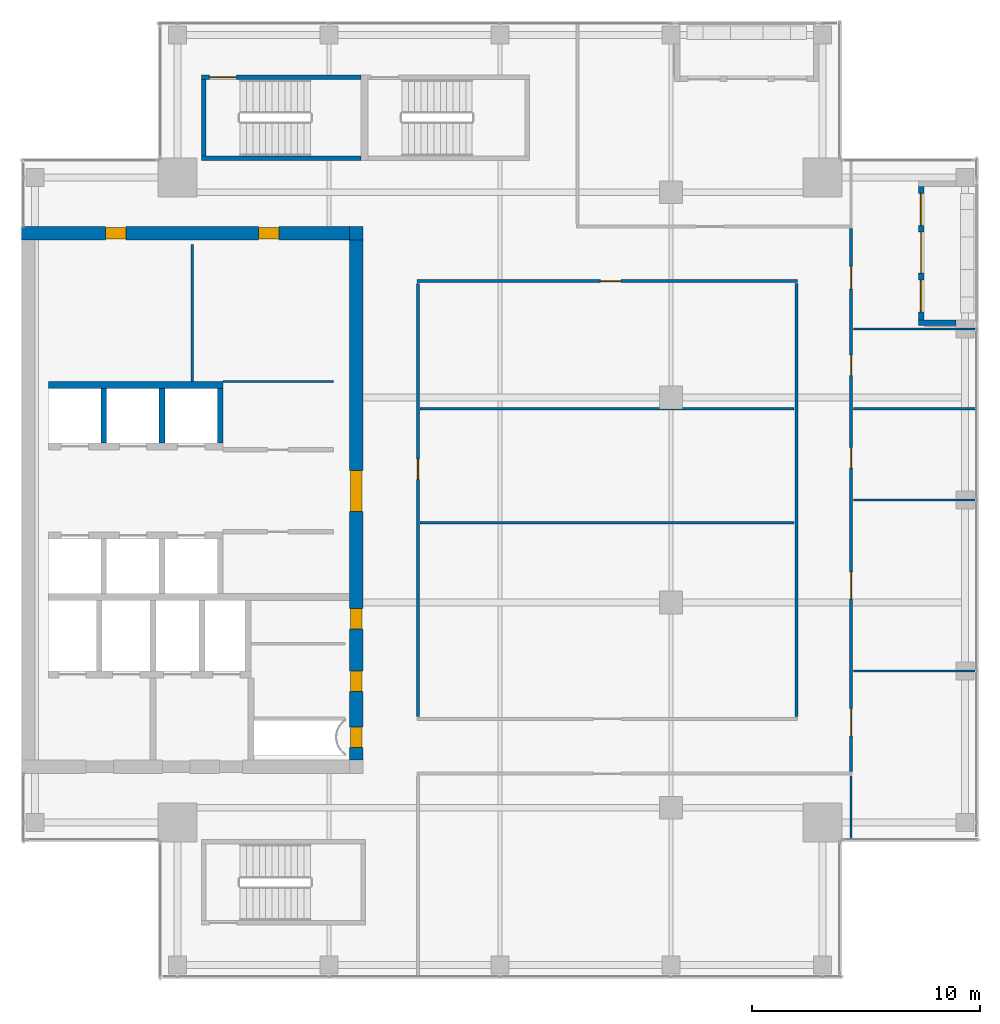
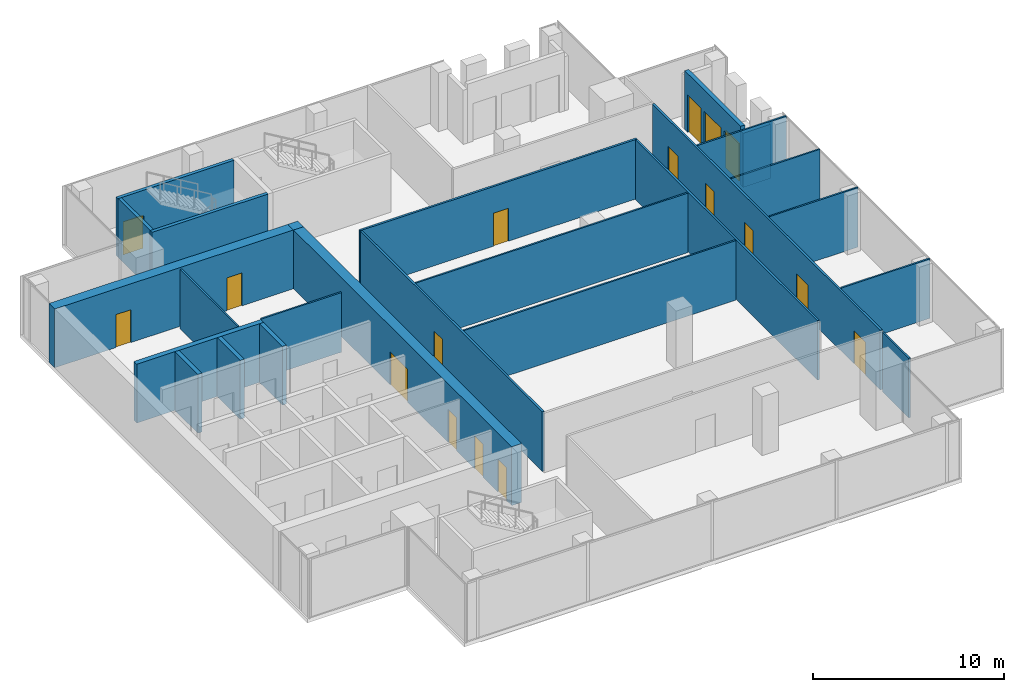
# One storey, part 26 of 29: 25 walls, 15 doors, 2 windows, 17 openings.
"""IFC4 building model written with IfcOpenShell, lengths in metres."""

from ifc_helpers import new_model, si_unit, direction, frame, frame_2d, origin, place, context, subcontext, project, spatial, rectangle, extrude, source, transform, mapped, material, layer, layer_set, type_object, element, fill, save


model = new_model("IFC4")

# Units and contexts
model_context = context("Model", 3, precision=1e-05, world=origin(), true_north=direction((0.0, 1.0)))
body_context = subcontext(model_context, "Body", "Model", "MODEL_VIEW")
ifc_project = project(units=[si_unit("LENGTHUNIT", "METRE"), si_unit("AREAUNIT", "SQUARE_METRE"), si_unit("VOLUMEUNIT", "CUBIC_METRE"), si_unit("PLANEANGLEUNIT", "RADIAN"), si_unit("MASSUNIT", "GRAM", prefix="KILO")], contexts=[model_context])

# Site, building, storey
site_placement = place(None, origin())
site = spatial("IfcSite", under=ifc_project, at=site_placement, CompositionType="ELEMENT")
building_placement = place(site_placement, origin())
building = spatial("IfcBuilding", under=site, at=building_placement, Name="Khomas Fold Tower", CompositionType="ELEMENT")
storey_placement = place(building_placement, frame((0.0, 0.0, 310.199951171875)))
storey = spatial("IfcBuildingStorey", under=building, at=storey_placement, Name="L70", CompositionType="ELEMENT", Elevation=310.199951171875)

# Wall, opening, door
ifc_material_1 = material(Name="Concrete C50/60", Category="concrete")
ifc_layer_1 = layer(ifc_material_1, 0.199951171875)
ifc_layer_set_1 = layer_set([ifc_layer_1], Name="Concrete C50/60")
wall_type_1 = type_object("IfcWallType", Name="Stair wall 200", PredefinedType="SHEAR", material=ifc_layer_set_1)
shared_shape_1 = source(origin(), body_context, "Body", "SweptSolid", [
    extrude(rectangle(XDim=7.0, YDim=0.199951171875, at=frame_2d((3.5, 0.0))), origin(), (0.0, 0.0, 1.0), 3.75),
])
wall_1_placement = place(storey_placement, frame((13.89990234375, 45.550048828125, 0.0), z_axis=(0.0, 0.0, 1.0), x_axis=(1.0, 0.0, 0.0)))
wall_1 = element("IfcWall", 1, at=wall_1_placement, inside=storey, type_object=wall_type_1, Name="Stair wall SW-ST1-N", PredefinedType="SHEAR", context=body_context, shape_type="MappedRepresentation", body=[
    mapped(shared_shape_1, transform((0.0, 0.0, 0.0))),
])
shared_shape_2 = source(origin(), body_context, "Body", "SweptSolid", [
    extrude(rectangle(XDim=1.199951171875, YDim=2.10009765625, at=frame_2d((0.60009765625, 1.050048828125))), frame((0.0, 0.10986328125, 0.0), z_axis=(0.0, -1.0, 0.0), x_axis=(1.0, 0.0, 0.0)), (0.0, 0.0, 1.0), 0.219970703125),
])
opening_1_placement = place(wall_1_placement, frame((0.35009765625, 0.0, 0.0)))
opening_1 = element("IfcOpeningElement", 2, at=opening_1_placement, cuts=wall_1, Name="Opening SD-ST1", PredefinedType="OPENING", context=body_context, shape_type="MappedRepresentation", body=[
    mapped(shared_shape_2, transform((0.0, 0.0, 0.0))),
])
ifc_material_2 = material(Name="Steel door leaf", Category="steel")
door_type_1 = type_object("IfcDoorType", Name="Stair door 1200x2100 left-hand", OperationType="SINGLE_SWING_LEFT", PredefinedType="DOOR", material=ifc_material_2)
shared_shape_3 = source(origin(), body_context, "Body", "SweptSolid", [
    extrude(rectangle(XDim=1.199951171875, YDim=2.10009765625, at=frame_2d((0.60009765625, 1.050048828125))), frame((0.0, 0.02490234375, 0.0), z_axis=(0.0, -1.0, 0.0), x_axis=(1.0, 0.0, 0.0)), (0.0, 0.0, 1.0), 0.050048828125),
])
door_1_placement = place(opening_1_placement, origin())
door_1 = element("IfcDoor", 3, at=door_1_placement, inside=storey, type_object=door_type_1, Name="Stair door", OperationType="SINGLE_SWING_LEFT", OverallHeight=2.10009765625, OverallWidth=1.199951171875, PredefinedType="DOOR", context=body_context, shape_type="MappedRepresentation", body=[
    mapped(shared_shape_3, transform((0.0, 0.0, 0.0))),
])
fill(opening_1, door_1)

# Walls
wall_2_placement = place(storey_placement, frame((13.89990234375, 42.0, 0.0), z_axis=(0.0, 0.0, 1.0), x_axis=(1.0, 0.0, 0.0)))
element("IfcWall", 4, at=wall_2_placement, inside=storey, type_object=wall_type_1, Name="Stair wall SW-ST1-S", PredefinedType="SHEAR", context=body_context, shape_type="MappedRepresentation", body=[
    mapped(shared_shape_1, transform((0.0, 0.0, 0.0))),
])
shared_shape_4 = source(origin(), body_context, "Body", "SweptSolid", [
    extrude(rectangle(XDim=3.349853515625, YDim=0.199951171875, at=frame_2d((1.6748046875, 0.0))), origin(), (0.0, 0.0, 1.0), 3.75),
])
wall_3_placement = place(storey_placement, frame((14.0, 42.10009765625, 0.0), z_axis=(0.0, 0.0, 1.0), x_axis=(0.0, 1.0, 0.0)))
element("IfcWall", 5, at=wall_3_placement, inside=storey, type_object=wall_type_1, Name="Stair wall SW-ST1-W", PredefinedType="SHEAR", context=body_context, shape_type="MappedRepresentation", body=[
    mapped(shared_shape_4, transform((0.0, 0.0, 0.0))),
])
ifc_material_3 = material(Name="Concrete C50/60", Category="concrete")
ifc_layer_2 = layer(ifc_material_3, 0.25)
ifc_layer_set_2 = layer_set([ifc_layer_2], Name="Concrete C50/60")
wall_type_2 = type_object("IfcWallType", Name="Shaft wall 250", PredefinedType="STANDARD", material=ifc_layer_set_2)
shared_shape_5 = source(origin(), body_context, "Body", "SweptSolid", [
    extrude(rectangle(XDim=2.39990234375, YDim=0.25, at=frame_2d((1.199951171875, 0.0))), origin(), (0.0, 0.0, 1.0), 3.75),
])
for number, where, z_axis, x_axis, name in (
    (6, (9.625, 29.5, 0.0), (0.0, 0.0, 1.0), (0.0, 1.0, 0.0), "Core wall SW-HRN-P1"),
    (7, (12.175048828125, 29.5, 0.0), (0.0, 0.0, 1.0), (0.0, 1.0, 0.0), "Core wall SW-HRN-P2"),
    (8, (14.72509765625, 29.5, 0.0), (0.0, 0.0, 1.0), (0.0, 1.0, 0.0), "Core wall SW-HRN-PE"),
):
    element("IfcWall", number, at=place(storey_placement, frame(where, z_axis=z_axis, x_axis=x_axis)), inside=storey, type_object=wall_type_2, Name=name, PredefinedType="STANDARD", context=body_context, shape_type="MappedRepresentation", body=[
        mapped(shared_shape_5, transform((0.0, 0.0, 0.0))),
    ])

# Wall, openings, doors
ifc_material_4 = material(Name="Concrete C50/60", Category="concrete")
ifc_layer_3 = layer(ifc_material_4, 0.60009765625)
ifc_layer_set_3 = layer_set([ifc_layer_3], Name="Concrete C50/60")
wall_type_3 = type_object("IfcWallType", Name="Core wall 600", PredefinedType="SHEAR", material=ifc_layer_set_3)
shared_shape_6 = source(origin(), body_context, "Body", "SweptSolid", [
    extrude(rectangle(XDim=14.39990234375, YDim=0.60009765625, at=frame_2d((7.199951171875, 0.0))), origin(), (0.0, 0.0, 1.0), 3.75),
])
wall_4_placement = place(storey_placement, frame((6.0, 38.699951171875, 0.0), z_axis=(0.0, 0.0, 1.0), x_axis=(1.0, 0.0, 0.0)))
wall_4 = element("IfcWall", 9, at=wall_4_placement, inside=storey, type_object=wall_type_3, Name="Core wall CW-U-N-L63", PredefinedType="SHEAR", context=body_context, shape_type="MappedRepresentation", body=[
    mapped(shared_shape_6, transform((0.0, 0.0, 0.0))),
])
shared_shape_7 = source(origin(), body_context, "Body", "SweptSolid", [
    extrude(rectangle(XDim=0.89990234375, YDim=2.10009765625, at=frame_2d((0.449951171875, 1.050048828125))), frame((0.0, 0.31005859375, 0.0), z_axis=(0.0, -1.0, 0.0), x_axis=(1.0, 0.0, 0.0)), (0.0, 0.0, 1.0), 0.6201171875),
])
opening_2_placement = place(wall_4_placement, frame((3.699951171875, 0.0, 0.0)))
opening_2 = element("IfcOpeningElement", 10, at=opening_2_placement, cuts=wall_4, Name="Opening 0008", PredefinedType="OPENING", context=body_context, shape_type="MappedRepresentation", body=[
    mapped(shared_shape_7, transform((0.0, 0.0, 0.0))),
])
opening_3_placement = place(wall_4_placement, frame((10.39990234375, 0.0, 0.0)))
opening_3 = element("IfcOpeningElement", 11, at=opening_3_placement, cuts=wall_4, Name="Opening 0008", PredefinedType="OPENING", context=body_context, shape_type="MappedRepresentation", body=[
    mapped(shared_shape_7, transform((0.0, 0.0, 0.0))),
])
ifc_material_5 = material(Name="Timber door leaf", Category="wood")
door_type_2 = type_object("IfcDoorType", Name="Door 900x2100 right-hand", OperationType="SINGLE_SWING_RIGHT", PredefinedType="DOOR", material=ifc_material_5)
shared_shape_8 = source(origin(), body_context, "Body", "SweptSolid", [
    extrude(rectangle(XDim=0.89990234375, YDim=2.10009765625, at=frame_2d((0.449951171875, 1.050048828125))), frame((0.0, 0.25, 0.0), z_axis=(0.0, -1.0, 0.0), x_axis=(1.0, 0.0, 0.0)), (0.0, 0.0, 1.0), 0.5),
])
door_2_placement = place(opening_2_placement, origin())
door_2 = element("IfcDoor", 12, at=door_2_placement, inside=storey, type_object=door_type_2, Name="Door", OperationType="SINGLE_SWING_RIGHT", OverallHeight=2.10009765625, OverallWidth=0.89990234375, PredefinedType="DOOR", context=body_context, shape_type="MappedRepresentation", body=[
    mapped(shared_shape_8, transform((0.0, 0.0, 0.0))),
])
fill(opening_2, door_2)
door_3_placement = place(opening_3_placement, origin())
door_3 = element("IfcDoor", 13, at=door_3_placement, inside=storey, type_object=door_type_2, Name="Door", OperationType="SINGLE_SWING_RIGHT", OverallHeight=2.10009765625, OverallWidth=0.89990234375, PredefinedType="DOOR", context=body_context, shape_type="MappedRepresentation", body=[
    mapped(shared_shape_8, transform((0.0, 0.0, 0.0))),
])
fill(opening_3, door_3)

# Wall
ifc_material_6 = material(Name="Concrete C50/60", Category="concrete")
ifc_layer_4 = layer(ifc_material_6, 0.60009765625)
ifc_layer_set_4 = layer_set([ifc_layer_4], Name="Concrete C50/60")
wall_type_4 = type_object("IfcWallType", Name="Core corner wall 600", PredefinedType="SHEAR", material=ifc_layer_set_4)
shared_shape_9 = source(origin(), body_context, "Body", "SweptSolid", [
    extrude(rectangle(XDim=0.60009765625, YDim=0.60009765625, at=frame_2d((0.300048828125, 0.0))), origin(), (0.0, 0.0, 1.0), 3.75),
])
wall_5_placement = place(storey_placement, frame((20.39990234375, 38.699951171875, 0.0), z_axis=(0.0, 0.0, 1.0), x_axis=(1.0, 0.0, 0.0)))
element("IfcWall", 14, at=wall_5_placement, inside=storey, type_object=wall_type_4, Name="Core wall CW-U-NE-L63", PredefinedType="SHEAR", context=body_context, shape_type="MappedRepresentation", body=[
    mapped(shared_shape_9, transform((0.0, 0.0, 0.0))),
])

# Wall, openings, doors
shared_shape_10 = source(origin(), body_context, "Body", "SweptSolid", [
    extrude(rectangle(XDim=22.7998046875, YDim=0.60009765625, at=frame_2d((11.39990234375, 0.0))), origin(), (0.0, 0.0, 1.0), 3.75),
])
wall_6_placement = place(storey_placement, frame((20.699951171875, 15.60009765625, 0.0), z_axis=(0.0, 0.0, 1.0), x_axis=(0.0, 1.0, 0.0)))
wall_6 = element("IfcWall", 15, at=wall_6_placement, inside=storey, type_object=wall_type_3, Name="Core wall CW-U-E-L63", PredefinedType="SHEAR", context=body_context, shape_type="MappedRepresentation", body=[
    mapped(shared_shape_10, transform((0.0, 0.0, 0.0))),
])
shared_shape_11 = source(origin(), body_context, "Body", "SweptSolid", [
    extrude(rectangle(XDim=1.800048828125, YDim=2.10009765625, at=frame_2d((0.89990234375, 1.050048828125))), frame((0.0, 0.31005859375, 0.0), z_axis=(0.0, -1.0, 0.0), x_axis=(1.0, 0.0, 0.0)), (0.0, 0.0, 1.0), 0.6201171875),
])
opening_4_placement = place(wall_6_placement, frame((10.89990234375, 0.0, 0.0)))
opening_4 = element("IfcOpeningElement", 16, at=opening_4_placement, cuts=wall_6, Name="Opening 0015", PredefinedType="OPENING", context=body_context, shape_type="MappedRepresentation", body=[
    mapped(shared_shape_11, transform((0.0, 0.0, 0.0))),
])
opening_5_placement = place(wall_6_placement, frame((0.550048828125, 0.0, 0.0)))
opening_5 = element("IfcOpeningElement", 17, at=opening_5_placement, cuts=wall_6, Name="Opening 0003", PredefinedType="OPENING", context=body_context, shape_type="MappedRepresentation", body=[
    mapped(shared_shape_7, transform((0.0, 0.0, 0.0))),
])
opening_6_placement = place(wall_6_placement, frame((3.0, 0.0, 0.0)))
opening_6 = element("IfcOpeningElement", 18, at=opening_6_placement, cuts=wall_6, Name="Opening 0008", PredefinedType="OPENING", context=body_context, shape_type="MappedRepresentation", body=[
    mapped(shared_shape_7, transform((0.0, 0.0, 0.0))),
])
opening_7_placement = place(wall_6_placement, frame((5.75, 0.0, 0.0)))
opening_7 = element("IfcOpeningElement", 19, at=opening_7_placement, cuts=wall_6, Name="Opening 0008", PredefinedType="OPENING", context=body_context, shape_type="MappedRepresentation", body=[
    mapped(shared_shape_7, transform((0.0, 0.0, 0.0))),
])
ifc_material_7 = material(Name="Steel door leaf", Category="steel")
door_type_3 = type_object("IfcDoorType", Name="Lobby door 1800x2100", OperationType="DOUBLE_DOOR_SINGLE_SWING", PredefinedType="DOOR", material=ifc_material_7)
shared_shape_12 = source(origin(), body_context, "Body", "SweptSolid", [
    extrude(rectangle(XDim=1.800048828125, YDim=2.10009765625, at=frame_2d((0.89990234375, 1.050048828125))), frame((0.0, 0.25, 0.0), z_axis=(0.0, -1.0, 0.0), x_axis=(1.0, 0.0, 0.0)), (0.0, 0.0, 1.0), 0.5),
])
door_4_placement = place(opening_4_placement, origin())
door_4 = element("IfcDoor", 20, at=door_4_placement, inside=storey, type_object=door_type_3, Name="Lobby door", OperationType="DOUBLE_DOOR_SINGLE_SWING", OverallHeight=2.10009765625, OverallWidth=1.800048828125, PredefinedType="DOOR", context=body_context, shape_type="MappedRepresentation", body=[
    mapped(shared_shape_12, transform((0.0, 0.0, 0.0))),
])
fill(opening_4, door_4)
ifc_material_8 = material(Name="Steel door leaf", Category="steel")
door_type_4 = type_object("IfcDoorType", Name="Plant room door 900x2100 right-hand", OperationType="SINGLE_SWING_RIGHT", PredefinedType="DOOR", material=ifc_material_8)
door_5_placement = place(opening_5_placement, origin())
door_5 = element("IfcDoor", 21, at=door_5_placement, inside=storey, type_object=door_type_4, Name="Plant room door", OperationType="SINGLE_SWING_RIGHT", OverallHeight=2.10009765625, OverallWidth=0.89990234375, PredefinedType="DOOR", context=body_context, shape_type="MappedRepresentation", body=[
    mapped(shared_shape_8, transform((0.0, 0.0, 0.0))),
])
fill(opening_5, door_5)
door_6_placement = place(opening_6_placement, origin())
door_6 = element("IfcDoor", 22, at=door_6_placement, inside=storey, type_object=door_type_2, Name="Door", OperationType="SINGLE_SWING_RIGHT", OverallHeight=2.10009765625, OverallWidth=0.89990234375, PredefinedType="DOOR", context=body_context, shape_type="MappedRepresentation", body=[
    mapped(shared_shape_8, transform((0.0, 0.0, 0.0))),
])
fill(opening_6, door_6)
door_7_placement = place(opening_7_placement, origin())
door_7 = element("IfcDoor", 23, at=door_7_placement, inside=storey, type_object=door_type_2, Name="Door", OperationType="SINGLE_SWING_RIGHT", OverallHeight=2.10009765625, OverallWidth=0.89990234375, PredefinedType="DOOR", context=body_context, shape_type="MappedRepresentation", body=[
    mapped(shared_shape_8, transform((0.0, 0.0, 0.0))),
])
fill(opening_7, door_7)

# Wall
ifc_material_9 = material(Name="Concrete C50/60", Category="concrete")
ifc_layer_5 = layer(ifc_material_9, 0.300048828125)
ifc_layer_set_5 = layer_set([ifc_layer_5], Name="Concrete C50/60")
wall_type_5 = type_object("IfcWallType", Name="Shaft wall 300", PredefinedType="STANDARD", material=ifc_layer_set_5)
shared_shape_13 = source(origin(), body_context, "Body", "SweptSolid", [
    extrude(rectangle(XDim=7.650146484375, YDim=0.300048828125, at=frame_2d((3.8251953125, 0.0))), origin(), (0.0, 0.0, 1.0), 3.75),
])
wall_7_placement = place(storey_placement, frame((7.199951171875, 32.050048828125, 0.0), z_axis=(0.0, 0.0, 1.0), x_axis=(1.0, 0.0, 0.0)))
element("IfcWall", 24, at=wall_7_placement, inside=storey, type_object=wall_type_5, Name="Core wall SW-HRN-B", PredefinedType="STANDARD", context=body_context, shape_type="MappedRepresentation", body=[
    mapped(shared_shape_13, transform((0.0, 0.0, 0.0))),
])

# Wall, openings, door, windows
ifc_material_10 = material(Name="Natural stone", Category="masonry")
ifc_layer_6 = layer(ifc_material_10, 0.0400390625)
ifc_material_11 = material(Name="Mineral wool insulation", Category="insulation")
ifc_layer_7 = layer(ifc_material_11, 0.10009765625)
ifc_material_12 = material(Name="Masonry", Category="masonry")
ifc_layer_8 = layer(ifc_material_12, 0.110107421875)
ifc_layer_set_6 = layer_set([ifc_layer_6, ifc_layer_7, ifc_layer_8], Name="Stone-faced insulated masonry")
wall_type_6 = type_object("IfcWallType", Name="BL-Balcony wall", PredefinedType="SOLIDWALL", material=ifc_layer_set_6)
shared_shape_14 = source(origin(), body_context, "Body", "SweptSolid", [
    extrude(rectangle(XDim=5.85009765625, YDim=0.25, at=frame_2d((2.925048828125, 0.0))), origin(), (0.0, 0.0, 1.0), 3.75),
])
wall_8_placement = place(storey_placement, frame((45.47509765625, 34.89990234375, 0.0), z_axis=(0.0, 0.0, 1.0), x_axis=(0.0, 1.0, 0.0)))
wall_8 = element("IfcWall", 25, at=wall_8_placement, inside=storey, type_object=wall_type_6, Name="Balcony wall BAL-L70-E4", PredefinedType="SOLIDWALL", context=body_context, shape_type="MappedRepresentation", body=[
    mapped(shared_shape_14, transform((0.0, 0.0, 0.0))),
])
shared_shape_15 = source(origin(), body_context, "Body", "SweptSolid", [
    extrude(rectangle(XDim=1.39990234375, YDim=2.39990234375, at=frame_2d((0.699951171875, 1.199951171875))), frame((0.0, 0.135009765625, 0.0), z_axis=(0.0, -1.0, 0.0), x_axis=(1.0, 0.0, 0.0)), (0.0, 0.0, 1.0), 0.27001953125),
])
opening_8_placement = place(wall_8_placement, frame((0.35009765625, 0.0, 0.0)))
opening_8 = element("IfcOpeningElement", 26, at=opening_8_placement, cuts=wall_8, Name="Opening BL-W6", PredefinedType="OPENING", context=body_context, shape_type="MappedRepresentation", body=[
    mapped(shared_shape_15, transform((0.0, 0.0, 0.0))),
])
opening_9_placement = place(wall_8_placement, frame((4.14990234375, 0.0, 0.0)))
opening_9 = element("IfcOpeningElement", 27, at=opening_9_placement, cuts=wall_8, Name="Opening BL-W6", PredefinedType="OPENING", context=body_context, shape_type="MappedRepresentation", body=[
    mapped(shared_shape_15, transform((0.0, 0.0, 0.0))),
])
shared_shape_16 = source(origin(), body_context, "Body", "SweptSolid", [
    extrude(rectangle(XDim=1.800048828125, YDim=2.39990234375, at=frame_2d((0.89990234375, 1.199951171875))), frame((0.0, 0.135009765625, 0.0), z_axis=(0.0, -1.0, 0.0), x_axis=(1.0, 0.0, 0.0)), (0.0, 0.0, 1.0), 0.27001953125),
])
opening_10_placement = place(wall_8_placement, frame((2.050048828125, 0.0, 0.0)))
opening_10 = element("IfcOpeningElement", 28, at=opening_10_placement, cuts=wall_8, Name="Opening BD701", PredefinedType="OPENING", context=body_context, shape_type="MappedRepresentation", body=[
    mapped(shared_shape_16, transform((0.0, 0.0, 0.0))),
])
ifc_material_13 = material(Name="Aluminium framed double glazing", Category="aluminium")
door_type_5 = type_object("IfcDoorType", Name="BL-Glazed balcony door 1800 x 2400", OperationType="DOUBLE_DOOR_DOUBLE_SWING", PredefinedType="DOOR", material=ifc_material_13)
shared_shape_17 = source(origin(), body_context, "Body", "SweptSolid", [
    extrude(rectangle(XDim=1.800048828125, YDim=2.39990234375, at=frame_2d((0.89990234375, 1.199951171875))), frame((0.0, 0.02490234375, 0.0), z_axis=(0.0, -1.0, 0.0), x_axis=(1.0, 0.0, 0.0)), (0.0, 0.0, 1.0), 0.050048828125),
])
door_8_placement = place(opening_10_placement, origin())
door_8 = element("IfcDoor", 29, at=door_8_placement, inside=storey, type_object=door_type_5, Name="Balcony door BD701", OperationType="DOUBLE_DOOR_DOUBLE_SWING", OverallHeight=2.39990234375, OverallWidth=1.800048828125, PredefinedType="DOOR", context=body_context, shape_type="MappedRepresentation", body=[
    mapped(shared_shape_17, transform((0.0, 0.0, 0.0))),
])
fill(opening_10, door_8)
ifc_material_14 = material(Name="Aluminium framed double glazing", Category="aluminium")
window_type = type_object("IfcWindowType", Name="BL-Fixed glazing 1400 x 2400", PartitioningType="SINGLE_PANEL", PredefinedType="WINDOW", material=ifc_material_14)
shared_shape_18 = source(origin(), body_context, "Body", "SweptSolid", [
    extrude(rectangle(XDim=1.39990234375, YDim=2.39990234375, at=frame_2d((0.699951171875, 1.199951171875))), frame((0.0, 0.030029296875, 0.0), z_axis=(0.0, -1.0, 0.0), x_axis=(1.0, 0.0, 0.0)), (0.0, 0.0, 1.0), 0.06005859375),
])
window_1_placement = place(opening_8_placement, origin())
window_1 = element("IfcWindow", 30, at=window_1_placement, inside=storey, type_object=window_type, Name="Balcony glazing BAL-L70-E4-1", OverallHeight=2.39990234375, OverallWidth=1.39990234375, PartitioningType="SINGLE_PANEL", PredefinedType="WINDOW", context=body_context, shape_type="MappedRepresentation", body=[
    mapped(shared_shape_18, transform((0.0, 0.0, 0.0))),
])
fill(opening_8, window_1)
window_2_placement = place(opening_9_placement, origin())
window_2 = element("IfcWindow", 31, at=window_2_placement, inside=storey, type_object=window_type, Name="Balcony glazing BAL-L70-E4-2", OverallHeight=2.39990234375, OverallWidth=1.39990234375, PartitioningType="SINGLE_PANEL", PredefinedType="WINDOW", context=body_context, shape_type="MappedRepresentation", body=[
    mapped(shared_shape_18, transform((0.0, 0.0, 0.0))),
])
fill(opening_9, window_2)

# Walls
shared_shape_19 = source(origin(), body_context, "Body", "SweptSolid", [
    extrude(rectangle(XDim=1.64990234375, YDim=0.25, at=frame_2d((0.824951171875, 0.0))), origin(), (0.0, 0.0, 1.0), 3.449951171875),
])
wall_9_placement = place(storey_placement, frame((47.0, 34.77490234375, 0.0), z_axis=(0.0, 0.0, 1.0), x_axis=(-1.0, 0.0, 0.0)))
element("IfcWall", 32, at=wall_9_placement, inside=storey, type_object=wall_type_6, Name="Balcony return wall BAL-L70-E4-lo", PredefinedType="SOLIDWALL", context=body_context, shape_type="MappedRepresentation", body=[
    mapped(shared_shape_19, transform((0.0, 0.0, 0.0))),
])
ifc_material_15 = material(Name="Plasterboard partition")
ifc_layer_9 = layer(ifc_material_15, 0.10009765625)
ifc_layer_set_7 = layer_set([ifc_layer_9], Name="Plasterboard partition")
wall_type_7 = type_object("IfcWallType", Name="Partition PW1 100", PredefinedType="PARTITIONING", material=ifc_layer_set_7)
shared_shape_20 = source(origin(), body_context, "Body", "SweptSolid", [
    extrude(rectangle(XDim=6.0, YDim=0.10009765625, at=frame_2d((3.0, 0.0))), origin(), (0.0, 0.0, 1.0), 3.800048828125),
])
wall_10_placement = place(storey_placement, frame((13.5, 32.199951171875, 0.0), z_axis=(0.0, 0.0, 1.0), x_axis=(0.0, 1.0, 0.0)))
element("IfcWall", 33, at=wall_10_placement, inside=storey, type_object=wall_type_7, Name="Partition", PredefinedType="PARTITIONING", context=body_context, shape_type="MappedRepresentation", body=[
    mapped(shared_shape_20, transform((0.0, 0.0, 0.0))),
])

# Wall, opening, door
ifc_material_16 = material(Name="Plasterboard partition")
ifc_layer_10 = layer(ifc_material_16, 0.125)
ifc_layer_set_8 = layer_set([ifc_layer_10], Name="Plasterboard partition")
wall_type_8 = type_object("IfcWallType", Name="Partition PW2 125", PredefinedType="PARTITIONING", material=ifc_layer_set_8)
shared_shape_21 = source(origin(), body_context, "Body", "SweptSolid", [
    extrude(rectangle(XDim=19.0, YDim=0.125, at=frame_2d((9.5, 0.0))), origin(), (0.0, 0.0, 1.0), 3.800048828125),
])
wall_11_placement = place(storey_placement, frame((23.39990234375, 17.5, 0.0), z_axis=(0.0, 0.0, 1.0), x_axis=(0.0, 1.0, 0.0)))
wall_11 = element("IfcWall", 34, at=wall_11_placement, inside=storey, type_object=wall_type_8, Name="Partition", PredefinedType="PARTITIONING", context=body_context, shape_type="MappedRepresentation", body=[
    mapped(shared_shape_21, transform((0.0, 0.0, 0.0))),
])
shared_shape_22 = source(origin(), body_context, "Body", "SweptSolid", [
    extrude(rectangle(XDim=0.89990234375, YDim=2.10009765625, at=frame_2d((0.449951171875, 1.050048828125))), frame((0.0, 0.072509765625, 0.0), z_axis=(0.0, -1.0, 0.0), x_axis=(1.0, 0.0, 0.0)), (0.0, 0.0, 1.0), 0.14501953125),
])
opening_11_placement = place(wall_11_placement, frame((10.39990234375, 0.0, 0.0)))
opening_11 = element("IfcOpeningElement", 35, at=opening_11_placement, cuts=wall_11, Name="Opening 0007", PredefinedType="OPENING", context=body_context, shape_type="MappedRepresentation", body=[
    mapped(shared_shape_22, transform((0.0, 0.0, 0.0))),
])
ifc_material_17 = material(Name="Timber door leaf", Category="wood")
door_type_6 = type_object("IfcDoorType", Name="Door 900x2100 left-hand", OperationType="SINGLE_SWING_LEFT", PredefinedType="DOOR", material=ifc_material_17)
shared_shape_23 = source(origin(), body_context, "Body", "SweptSolid", [
    extrude(rectangle(XDim=0.89990234375, YDim=2.10009765625, at=frame_2d((0.449951171875, 1.050048828125))), frame((0.0, 0.02490234375, 0.0), z_axis=(0.0, -1.0, 0.0), x_axis=(1.0, 0.0, 0.0)), (0.0, 0.0, 1.0), 0.050048828125),
])
door_9_placement = place(opening_11_placement, origin())
door_9 = element("IfcDoor", 36, at=door_9_placement, inside=storey, type_object=door_type_6, Name="Door", OperationType="SINGLE_SWING_LEFT", OverallHeight=2.10009765625, OverallWidth=0.89990234375, PredefinedType="DOOR", context=body_context, shape_type="MappedRepresentation", body=[
    mapped(shared_shape_23, transform((0.0, 0.0, 0.0))),
])
fill(opening_11, door_9)

# Walls
wall_12_placement = place(storey_placement, frame((40.0, 17.5, 0.0), z_axis=(0.0, 0.0, 1.0), x_axis=(0.0, 1.0, 0.0)))
element("IfcWall", 37, at=wall_12_placement, inside=storey, type_object=wall_type_8, Name="Partition", PredefinedType="PARTITIONING", context=body_context, shape_type="MappedRepresentation", body=[
    mapped(shared_shape_21, transform((0.0, 0.0, 0.0))),
])
shared_shape_24 = source(origin(), body_context, "Body", "SweptSolid", [
    extrude(rectangle(XDim=2.75, YDim=0.10009765625, at=frame_2d((1.375, 0.0))), origin(), (0.0, 0.0, 1.0), 3.800048828125),
])
wall_13_placement = place(storey_placement, frame((42.39990234375, 12.14990234375, 0.0), z_axis=(0.0, 0.0, 1.0), x_axis=(0.0, 1.0, 0.0)))
element("IfcWall", 38, at=wall_13_placement, inside=storey, type_object=wall_type_7, Name="Partition", PredefinedType="PARTITIONING", context=body_context, shape_type="MappedRepresentation", body=[
    mapped(shared_shape_24, transform((0.0, 0.0, 0.0))),
])

# Wall, openings, doors
shared_shape_25 = source(origin(), body_context, "Body", "SweptSolid", [
    extrude(rectangle(XDim=23.7998046875, YDim=0.125, at=frame_2d((11.89990234375, 0.0))), origin(), (0.0, 0.0, 1.0), 3.800048828125),
])
wall_14_placement = place(storey_placement, frame((42.39990234375, 15.10009765625, 0.0), z_axis=(0.0, 0.0, 1.0), x_axis=(0.0, 1.0, 0.0)))
wall_14 = element("IfcWall", 39, at=wall_14_placement, inside=storey, type_object=wall_type_8, Name="Partition", PredefinedType="PARTITIONING", context=body_context, shape_type="MappedRepresentation", body=[
    mapped(shared_shape_25, transform((0.0, 0.0, 0.0))),
])
shared_shape_26 = source(origin(), body_context, "Body", "SweptSolid", [
    extrude(rectangle(XDim=1.199951171875, YDim=2.10009765625, at=frame_2d((0.60009765625, 1.050048828125))), frame((0.0, 0.072509765625, 0.0), z_axis=(0.0, -1.0, 0.0), x_axis=(1.0, 0.0, 0.0)), (0.0, 0.0, 1.0), 0.14501953125),
])
opening_12_placement = place(wall_14_placement, frame((1.550048828125, 0.0, 0.0)))
opening_12 = element("IfcOpeningElement", 40, at=opening_12_placement, cuts=wall_14, Name="Opening 0013", PredefinedType="OPENING", context=body_context, shape_type="MappedRepresentation", body=[
    mapped(shared_shape_26, transform((0.0, 0.0, 0.0))),
])
opening_13_placement = place(wall_14_placement, frame((7.550048828125, 0.0, 0.0)))
opening_13 = element("IfcOpeningElement", 41, at=opening_13_placement, cuts=wall_14, Name="Opening 0013", PredefinedType="OPENING", context=body_context, shape_type="MappedRepresentation", body=[
    mapped(shared_shape_26, transform((0.0, 0.0, 0.0))),
])
opening_14_placement = place(wall_14_placement, frame((13.300048828125, 0.0, 0.0)))
opening_14 = element("IfcOpeningElement", 42, at=opening_14_placement, cuts=wall_14, Name="Opening 0005", PredefinedType="OPENING", context=body_context, shape_type="MappedRepresentation", body=[
    mapped(shared_shape_22, transform((0.0, 0.0, 0.0))),
])
opening_15_placement = place(wall_14_placement, frame((17.35009765625, 0.0, 0.0)))
opening_15 = element("IfcOpeningElement", 43, at=opening_15_placement, cuts=wall_14, Name="Opening 0004", PredefinedType="OPENING", context=body_context, shape_type="MappedRepresentation", body=[
    mapped(shared_shape_22, transform((0.0, 0.0, 0.0))),
])
shared_shape_27 = source(origin(), body_context, "Body", "SweptSolid", [
    extrude(rectangle(XDim=1.0, YDim=2.10009765625, at=frame_2d((0.5, 1.050048828125))), frame((0.0, 0.072509765625, 0.0), z_axis=(0.0, -1.0, 0.0), x_axis=(1.0, 0.0, 0.0)), (0.0, 0.0, 1.0), 0.14501953125),
])
opening_16_placement = place(wall_14_placement, frame((21.14990234375, 0.0, 0.0)))
opening_16 = element("IfcOpeningElement", 44, at=opening_16_placement, cuts=wall_14, Name="Opening 0006", PredefinedType="OPENING", context=body_context, shape_type="MappedRepresentation", body=[
    mapped(shared_shape_27, transform((0.0, 0.0, 0.0))),
])
ifc_material_18 = material(Name="Timber door leaf", Category="wood")
door_type_7 = type_object("IfcDoorType", Name="WC door 900x2100 left-hand", OperationType="SINGLE_SWING_LEFT", PredefinedType="DOOR", material=ifc_material_18)
door_10_placement = place(opening_14_placement, origin())
door_10 = element("IfcDoor", 45, at=door_10_placement, inside=storey, type_object=door_type_7, Name="WC door", OperationType="SINGLE_SWING_LEFT", OverallHeight=2.10009765625, OverallWidth=0.89990234375, PredefinedType="DOOR", context=body_context, shape_type="MappedRepresentation", body=[
    mapped(shared_shape_23, transform((0.0, 0.0, 0.0))),
])
fill(opening_14, door_10)
ifc_material_19 = material(Name="Timber door leaf", Category="wood")
door_type_8 = type_object("IfcDoorType", Name="WC door 900x2100 right-hand", OperationType="SINGLE_SWING_RIGHT", PredefinedType="DOOR", material=ifc_material_19)
door_11_placement = place(opening_15_placement, origin())
door_11 = element("IfcDoor", 46, at=door_11_placement, inside=storey, type_object=door_type_8, Name="WC door", OperationType="SINGLE_SWING_RIGHT", OverallHeight=2.10009765625, OverallWidth=0.89990234375, PredefinedType="DOOR", context=body_context, shape_type="MappedRepresentation", body=[
    mapped(shared_shape_23, transform((0.0, 0.0, 0.0))),
])
fill(opening_15, door_11)
ifc_material_20 = material(Name="Timber door leaf", Category="wood")
door_type_9 = type_object("IfcDoorType", Name="WC door 1000x2100 right-hand", OperationType="SINGLE_SWING_RIGHT", PredefinedType="DOOR", material=ifc_material_20)
shared_shape_28 = source(origin(), body_context, "Body", "SweptSolid", [
    extrude(rectangle(XDim=1.0, YDim=2.10009765625, at=frame_2d((0.5, 1.050048828125))), frame((0.0, 0.02490234375, 0.0), z_axis=(0.0, -1.0, 0.0), x_axis=(1.0, 0.0, 0.0)), (0.0, 0.0, 1.0), 0.050048828125),
])
door_12_placement = place(opening_16_placement, origin())
door_12 = element("IfcDoor", 47, at=door_12_placement, inside=storey, type_object=door_type_9, Name="WC door", OperationType="SINGLE_SWING_RIGHT", OverallHeight=2.10009765625, OverallWidth=1.0, PredefinedType="DOOR", context=body_context, shape_type="MappedRepresentation", body=[
    mapped(shared_shape_28, transform((0.0, 0.0, 0.0))),
])
fill(opening_16, door_12)
ifc_material_21 = material(Name="Timber door leaf", Category="wood")
door_type_10 = type_object("IfcDoorType", Name="Door 1200x2100 left-hand", OperationType="SINGLE_SWING_LEFT", PredefinedType="DOOR", material=ifc_material_21)
door_13_placement = place(opening_12_placement, origin())
door_13 = element("IfcDoor", 48, at=door_13_placement, inside=storey, type_object=door_type_10, Name="Door", OperationType="SINGLE_SWING_LEFT", OverallHeight=2.10009765625, OverallWidth=1.199951171875, PredefinedType="DOOR", context=body_context, shape_type="MappedRepresentation", body=[
    mapped(shared_shape_3, transform((0.0, 0.0, 0.0))),
])
fill(opening_12, door_13)
door_14_placement = place(opening_13_placement, origin())
door_14 = element("IfcDoor", 49, at=door_14_placement, inside=storey, type_object=door_type_10, Name="Door", OperationType="SINGLE_SWING_LEFT", OverallHeight=2.10009765625, OverallWidth=1.199951171875, PredefinedType="DOOR", context=body_context, shape_type="MappedRepresentation", body=[
    mapped(shared_shape_3, transform((0.0, 0.0, 0.0))),
])
fill(opening_13, door_14)

# Wall, opening, door
shared_shape_29 = source(origin(), body_context, "Body", "SweptSolid", [
    extrude(rectangle(XDim=16.699951171875, YDim=0.125, at=frame_2d((8.35009765625, 0.0))), origin(), (0.0, 0.0, 1.0), 3.800048828125),
])
wall_15_placement = place(storey_placement, frame((23.35009765625, 36.60009765625, 0.0), z_axis=(0.0, 0.0, 1.0), x_axis=(1.0, 0.0, 0.0)))
wall_15 = element("IfcWall", 50, at=wall_15_placement, inside=storey, type_object=wall_type_8, Name="Partition", PredefinedType="PARTITIONING", context=body_context, shape_type="MappedRepresentation", body=[
    mapped(shared_shape_29, transform((0.0, 0.0, 0.0))),
])
opening_17_placement = place(wall_15_placement, frame((8.050048828125, 0.0, 0.0)))
opening_17 = element("IfcOpeningElement", 51, at=opening_17_placement, cuts=wall_15, Name="Opening 0008", PredefinedType="OPENING", context=body_context, shape_type="MappedRepresentation", body=[
    mapped(shared_shape_22, transform((0.0, 0.0, 0.0))),
])
door_15_placement = place(opening_17_placement, origin())
door_15 = element("IfcDoor", 52, at=door_15_placement, inside=storey, type_object=door_type_2, Name="Door", OperationType="SINGLE_SWING_RIGHT", OverallHeight=2.10009765625, OverallWidth=0.89990234375, PredefinedType="DOOR", context=body_context, shape_type="MappedRepresentation", body=[
    mapped(shared_shape_23, transform((0.0, 0.0, 0.0))),
])
fill(opening_17, door_15)

# Walls
shared_shape_30 = source(origin(), body_context, "Body", "SweptSolid", [
    extrude(rectangle(XDim=16.39990234375, YDim=0.10009765625, at=frame_2d((8.199951171875, 0.0))), origin(), (0.0, 0.0, 1.0), 3.800048828125),
])
for number, where, z_axis, x_axis, name in (
    (53, (23.5, 26.0, 0.0), (0.0, 0.0, 1.0), (1.0, 0.0, 0.0), "Partition"),
    (54, (23.5, 31.0, 0.0), (0.0, 0.0, 1.0), (1.0, 0.0, 0.0), "Partition"),
):
    element("IfcWall", number, at=place(storey_placement, frame(where, z_axis=z_axis, x_axis=x_axis)), inside=storey, type_object=wall_type_7, Name=name, PredefinedType="PARTITIONING", context=body_context, shape_type="MappedRepresentation", body=[
        mapped(shared_shape_30, transform((0.0, 0.0, 0.0))),
    ])
shared_shape_31 = source(origin(), body_context, "Body", "SweptSolid", [
    extrude(rectangle(XDim=5.35009765625, YDim=0.10009765625, at=frame_2d((2.675048828125, 0.0))), origin(), (0.0, 0.0, 1.0), 3.800048828125),
])
for number, where, z_axis, x_axis, name in (
    (55, (42.5, 19.5, 0.0), (0.0, 0.0, 1.0), (1.0, 0.0, 0.0), "Partition"),
    (56, (42.5, 27.0, 0.0), (0.0, 0.0, 1.0), (1.0, 0.0, 0.0), "Partition"),
    (57, (42.5, 31.0, 0.0), (0.0, 0.0, 1.0), (1.0, 0.0, 0.0), "Partition"),
    (58, (42.5, 34.5, 0.0), (0.0, 0.0, 1.0), (1.0, 0.0, 0.0), "Partition"),
):
    element("IfcWall", number, at=place(storey_placement, frame(where, z_axis=z_axis, x_axis=x_axis)), inside=storey, type_object=wall_type_7, Name=name, PredefinedType="PARTITIONING", context=body_context, shape_type="MappedRepresentation", body=[
        mapped(shared_shape_31, transform((0.0, 0.0, 0.0))),
    ])
shared_shape_32 = source(origin(), body_context, "Body", "SweptSolid", [
    extrude(rectangle(XDim=4.849853515625, YDim=0.10009765625, at=frame_2d((2.4248046875, 0.0))), origin(), (0.0, 0.0, 1.0), 3.800048828125),
])
wall_16_placement = place(storey_placement, frame((14.85009765625, 32.199951171875, 0.0), z_axis=(0.0, 0.0, 1.0), x_axis=(1.0, 0.0, 0.0)))
element("IfcWall", 59, at=wall_16_placement, inside=storey, type_object=wall_type_7, Name="Partition", PredefinedType="PARTITIONING", context=body_context, shape_type="MappedRepresentation", body=[
    mapped(shared_shape_32, transform((0.0, 0.0, 0.0))),
])

save(model, "model.ifc")
